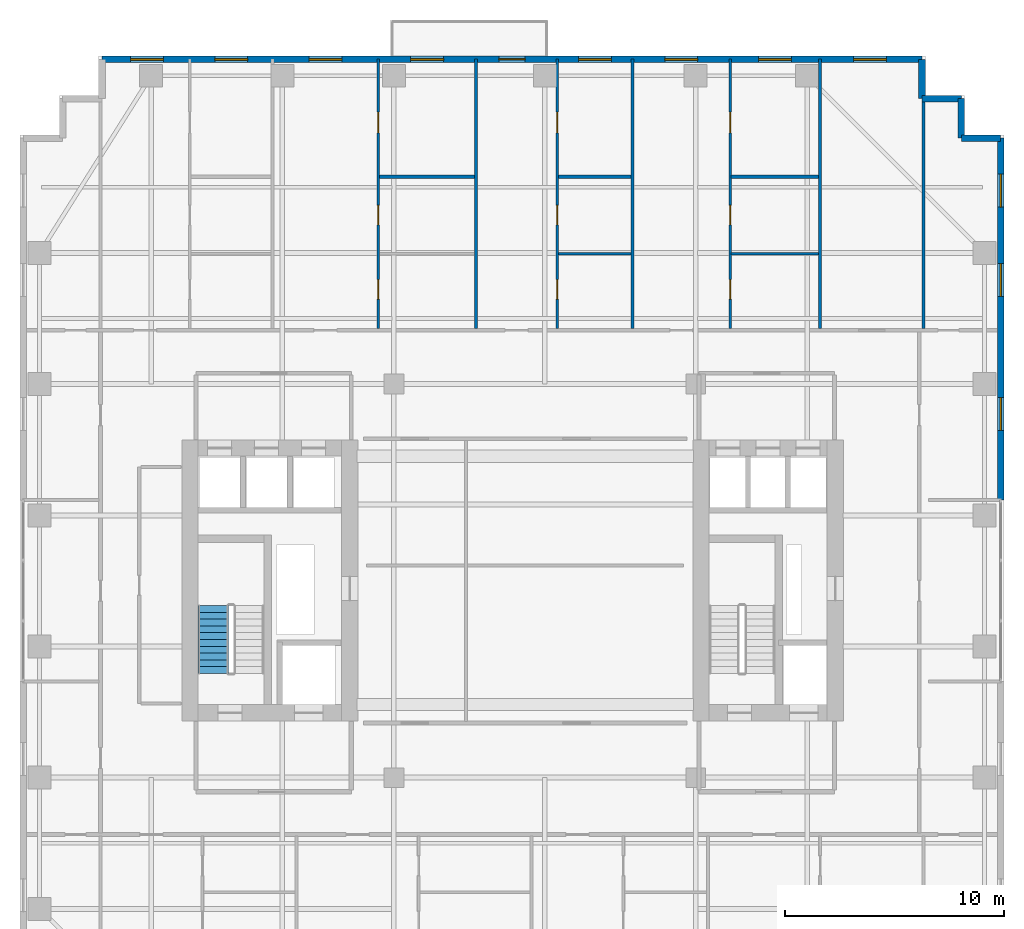
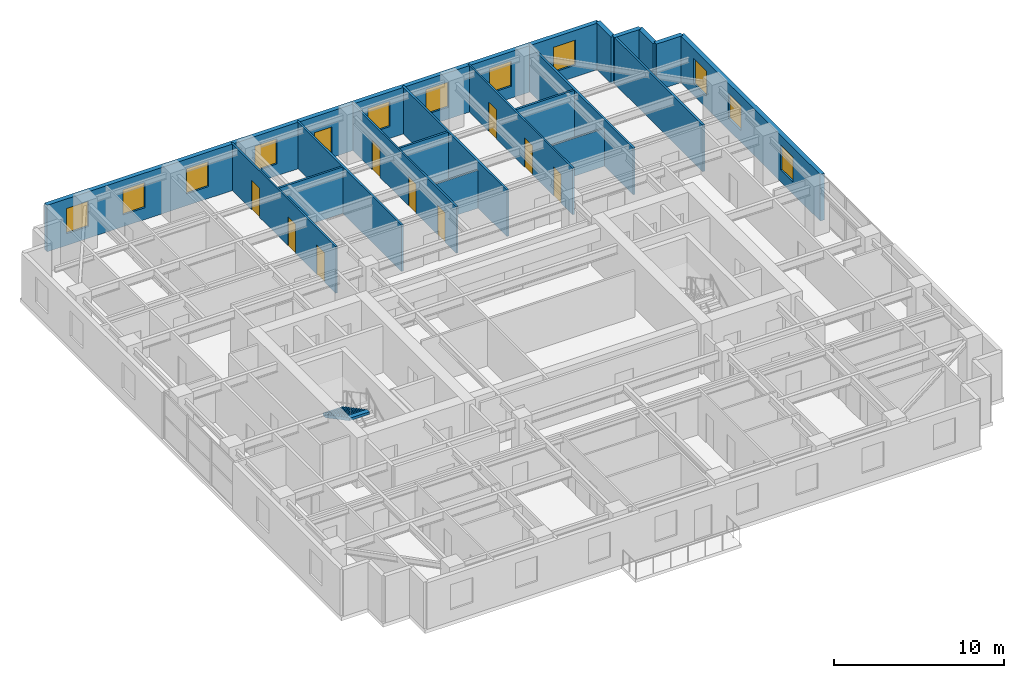
# One storey, part 12 of 15: 18 walls, 11 windows, 10 doors, 1 stair flight, 21 openings, 1 element without a shape of its own.
"""IFC4 building model written with IfcOpenShell, lengths in metres."""

from ifc_helpers import new_model, si_unit, direction, frame, frame_2d, origin, place, context, subcontext, project, spatial, polyline, rectangle, outline, extrude, source, transform, mapped, material, layer, layer_set, type_object, element, fill, aggregate, save


model = new_model("IFC4")

# Units and contexts
model_context = context("Model", 3, precision=1e-05, world=origin(), true_north=direction((0.0, 1.0)))
body_context = subcontext(model_context, "Body", "Model", "MODEL_VIEW")
ifc_project = project(units=[si_unit("LENGTHUNIT", "METRE"), si_unit("AREAUNIT", "SQUARE_METRE"), si_unit("VOLUMEUNIT", "CUBIC_METRE"), si_unit("PLANEANGLEUNIT", "RADIAN"), si_unit("MASSUNIT", "GRAM", prefix="KILO")], contexts=[model_context])

# Site, building, storey
site_placement = place(None, origin())
site = spatial("IfcSite", under=ifc_project, at=site_placement, CompositionType="ELEMENT")
building_placement = place(site_placement, origin())
building = spatial("IfcBuilding", under=site, at=building_placement, Name="Khoralis Quay Care Tower", CompositionType="ELEMENT")
storey_placement = place(building_placement, frame((0.0, 0.0, 123.300048828125)))
storey = spatial("IfcBuildingStorey", under=building, at=storey_placement, Name="L32", CompositionType="ELEMENT", Elevation=123.300048828125)

# Wall, openings, windows
ifc_material_1 = material(Name="Precast concrete C45/55", Category="concrete")
ifc_layer_1 = layer(ifc_material_1, 0.300048828125)
ifc_layer_set_1 = layer_set([ifc_layer_1], Name="Precast concrete C45/55")
wall_type_1 = type_object("IfcWallType", Name="WL-EXT-REF-300", PredefinedType="SOLIDWALL", material=ifc_layer_set_1)
wall_1_placement = place(storey_placement, frame((44.85009765625, 24.699951171875, 0.0), z_axis=(0.0, 0.0, 1.0), x_axis=(0.0, 1.0, 0.0)))
wall_1 = element("IfcWall", 1, at=wall_1_placement, inside=storey, type_object=wall_type_1, Name="L32 External Facade Wall WL-EXT-L32-P1-E5B", PredefinedType="SOLIDWALL", context=body_context, shape_type="SweptSolid", body=[
    extrude(rectangle(XDim=16.550048828125, YDim=0.300048828125, at=frame_2d((8.27490234375, 0.0))), origin(), (0.0, 0.0, 1.0), 3.33984375),
])
opening_1_placement = place(wall_1_placement, frame((3.179931640625, 0.0, 0.85009765625)))
opening_1 = element("IfcOpeningElement", 2, at=opening_1_placement, cuts=wall_1, Name="Opening W3", PredefinedType="OPENING", context=body_context, shape_type="SweptSolid", body=[
    extrude(rectangle(XDim=1.5, YDim=1.800048828125, at=frame_2d((0.75, 0.89990234375))), frame((0.0, 0.16015625, 0.0), z_axis=(0.0, -1.0, 0.0), x_axis=(1.0, 0.0, 0.0)), (0.0, 0.0, 1.0), 0.320068359375),
])
opening_2_placement = place(wall_1_placement, frame((9.3125, 0.0, 0.85009765625)))
opening_2 = element("IfcOpeningElement", 3, at=opening_2_placement, cuts=wall_1, Name="Opening W3", PredefinedType="OPENING", context=body_context, shape_type="SweptSolid", body=[
    extrude(rectangle(XDim=1.5, YDim=1.800048828125, at=frame_2d((0.75, 0.89990234375))), frame((0.0, 0.16015625, 0.0), z_axis=(0.0, -1.0, 0.0), x_axis=(1.0, 0.0, 0.0)), (0.0, 0.0, 1.0), 0.320068359375),
])
opening_3_placement = place(wall_1_placement, frame((13.3974609375, 0.0, 0.85009765625)))
opening_3 = element("IfcOpeningElement", 4, at=opening_3_placement, cuts=wall_1, Name="Opening W3", PredefinedType="OPENING", context=body_context, shape_type="SweptSolid", body=[
    extrude(rectangle(XDim=1.5, YDim=1.800048828125, at=frame_2d((0.75, 0.89990234375))), frame((0.0, 0.16015625, 0.0), z_axis=(0.0, -1.0, 0.0), x_axis=(1.0, 0.0, 0.0)), (0.0, 0.0, 1.0), 0.320068359375),
])
ifc_material_2 = material(Name="Low-E solar-control double glazing", Category="glass")
window_type = type_object("IfcWindowType", Name="WN-CLIN-1500X1800", PartitioningType="SINGLE_PANEL", PredefinedType="WINDOW", material=ifc_material_2)
shared_shape_1 = source(origin(), body_context, "Body", "SweptSolid", [
    extrude(rectangle(XDim=1.5, YDim=1.800048828125, at=frame_2d((0.75, 0.89990234375))), frame((0.0, 0.030029296875, 0.0), z_axis=(0.0, -1.0, 0.0), x_axis=(1.0, 0.0, 0.0)), (0.0, 0.0, 1.0), 0.06005859375),
])
window_1_placement = place(opening_1_placement, origin())
window_1 = element("IfcWindow", 5, at=window_1_placement, inside=storey, type_object=window_type, Name="WN-L32-P1-E5B Facade Window 01", OverallHeight=1.800048828125, OverallWidth=1.5, PartitioningType="SINGLE_PANEL", PredefinedType="WINDOW", context=body_context, shape_type="MappedRepresentation", body=[
    mapped(shared_shape_1, transform((0.0, 0.0, 0.0), scale=1.0)),
])
fill(opening_1, window_1)
window_2_placement = place(opening_2_placement, origin())
window_2 = element("IfcWindow", 6, at=window_2_placement, inside=storey, type_object=window_type, Name="WN-L32-P1-E5B Facade Window 02", OverallHeight=1.800048828125, OverallWidth=1.5, PartitioningType="SINGLE_PANEL", PredefinedType="WINDOW", context=body_context, shape_type="MappedRepresentation", body=[
    mapped(shared_shape_1, transform((0.0, 0.0, 0.0), scale=1.0)),
])
fill(opening_2, window_2)
window_3_placement = place(opening_3_placement, origin())
window_3 = element("IfcWindow", 7, at=window_3_placement, inside=storey, type_object=window_type, Name="WN-L32-P1-E5B Facade Window 03", OverallHeight=1.800048828125, OverallWidth=1.5, PartitioningType="SINGLE_PANEL", PredefinedType="WINDOW", context=body_context, shape_type="MappedRepresentation", body=[
    mapped(shared_shape_1, transform((0.0, 0.0, 0.0), scale=1.0)),
])
fill(opening_3, window_3)

# Walls
for number, where, z_axis, x_axis, name in (
    (8, (44.85009765625, 41.25, 0.0), (0.0, 0.0, 1.0), (-1.0, 0.0, 0.0), "L32 External Facade Wall WL-EXT-L32-P1-C6"),
    (9, (43.050048828125, 41.25, 0.0), (0.0, 0.0, 1.0), (0.0, 1.0, 0.0), "L32 External Facade Wall WL-EXT-L32-P1-C7"),
    (10, (43.050048828125, 43.050048828125, 0.0), (0.0, 0.0, 1.0), (-1.0, 0.0, 0.0), "L32 External Facade Wall WL-EXT-L32-P1-C8"),
    (11, (41.25, 43.050048828125, 0.0), (0.0, 0.0, 1.0), (0.0, 1.0, 0.0), "L32 External Facade Wall WL-EXT-L32-P1-C9"),
):
    element("IfcWall", number, at=place(storey_placement, frame(where, z_axis=z_axis, x_axis=x_axis)), inside=storey, type_object=wall_type_1, Name=name, PredefinedType="SOLIDWALL", context=body_context, shape_type="SweptSolid", body=[
        extrude(rectangle(XDim=1.800048828125, YDim=0.300048828125, at=frame_2d((0.89990234375, 0.0))), origin(), (0.0, 0.0, 1.0), 3.33984375),
    ])

# Wall, openings, windows, door
wall_2_placement = place(storey_placement, frame((41.25, 44.85009765625, 0.0), z_axis=(0.0, 0.0, 1.0), x_axis=(-1.0, 0.0, 0.0)))
wall_2 = element("IfcWall", 12, at=wall_2_placement, inside=storey, type_object=wall_type_1, Name="L32 External Facade Wall WL-EXT-L32-P1-E10", PredefinedType="SOLIDWALL", context=body_context, shape_type="SweptSolid", body=[
    extrude(rectangle(XDim=37.5, YDim=0.300048828125, at=frame_2d((18.75, 0.0))), origin(), (0.0, 0.0, 1.0), 3.33984375),
])
opening_4_placement = place(wall_2_placement, frame((1.6298828125, 0.0, 0.85009765625)))
opening_4 = element("IfcOpeningElement", 13, at=opening_4_placement, cuts=wall_2, Name="Opening W3", PredefinedType="OPENING", context=body_context, shape_type="SweptSolid", body=[
    extrude(rectangle(XDim=1.5, YDim=1.800048828125, at=frame_2d((0.75, 0.89990234375))), frame((0.0, 0.16015625, 0.0), z_axis=(0.0, -1.0, 0.0), x_axis=(1.0, 0.0, 0.0)), (0.0, 0.0, 1.0), 0.320068359375),
])
opening_5_placement = place(wall_2_placement, frame((5.968994140625, 0.0, 0.85009765625)))
opening_5 = element("IfcOpeningElement", 14, at=opening_5_placement, cuts=wall_2, Name="Opening W3", PredefinedType="OPENING", context=body_context, shape_type="SweptSolid", body=[
    extrude(rectangle(XDim=1.5, YDim=1.800048828125, at=frame_2d((0.75, 0.89990234375))), frame((0.0, 0.16015625, 0.0), z_axis=(0.0, -1.0, 0.0), x_axis=(1.0, 0.0, 0.0)), (0.0, 0.0, 1.0), 0.320068359375),
])
opening_6_placement = place(wall_2_placement, frame((10.259033203125, 0.0, 0.85009765625)))
opening_6 = element("IfcOpeningElement", 15, at=opening_6_placement, cuts=wall_2, Name="Opening W3", PredefinedType="OPENING", context=body_context, shape_type="SweptSolid", body=[
    extrude(rectangle(XDim=1.5, YDim=1.800048828125, at=frame_2d((0.75, 0.89990234375))), frame((0.0, 0.16015625, 0.0), z_axis=(0.0, -1.0, 0.0), x_axis=(1.0, 0.0, 0.0)), (0.0, 0.0, 1.0), 0.320068359375),
])
opening_7_placement = place(wall_2_placement, frame((14.20849609375, 0.0, 0.85009765625)))
opening_7 = element("IfcOpeningElement", 16, at=opening_7_placement, cuts=wall_2, Name="Opening W3", PredefinedType="OPENING", context=body_context, shape_type="SweptSolid", body=[
    extrude(rectangle(XDim=1.5, YDim=1.800048828125, at=frame_2d((0.75, 0.89990234375))), frame((0.0, 0.16015625, 0.0), z_axis=(0.0, -1.0, 0.0), x_axis=(1.0, 0.0, 0.0)), (0.0, 0.0, 1.0), 0.320068359375),
])
opening_8_placement = place(wall_2_placement, frame((21.882080078125, 0.0, 0.85009765625)))
opening_8 = element("IfcOpeningElement", 17, at=opening_8_placement, cuts=wall_2, Name="Opening W3", PredefinedType="OPENING", context=body_context, shape_type="SweptSolid", body=[
    extrude(rectangle(XDim=1.5, YDim=1.800048828125, at=frame_2d((0.75, 0.89990234375))), frame((0.0, 0.16015625, 0.0), z_axis=(0.0, -1.0, 0.0), x_axis=(1.0, 0.0, 0.0)), (0.0, 0.0, 1.0), 0.320068359375),
])
opening_9_placement = place(wall_2_placement, frame((26.531982421875, 0.0, 0.85009765625)))
opening_9 = element("IfcOpeningElement", 18, at=opening_9_placement, cuts=wall_2, Name="Opening W3", PredefinedType="OPENING", context=body_context, shape_type="SweptSolid", body=[
    extrude(rectangle(XDim=1.5, YDim=1.800048828125, at=frame_2d((0.75, 0.89990234375))), frame((0.0, 0.16015625, 0.0), z_axis=(0.0, -1.0, 0.0), x_axis=(1.0, 0.0, 0.0)), (0.0, 0.0, 1.0), 0.320068359375),
])
opening_10_placement = place(wall_2_placement, frame((30.839111328125, 0.0, 0.85009765625)))
opening_10 = element("IfcOpeningElement", 19, at=opening_10_placement, cuts=wall_2, Name="Opening W3", PredefinedType="OPENING", context=body_context, shape_type="SweptSolid", body=[
    extrude(rectangle(XDim=1.5, YDim=1.800048828125, at=frame_2d((0.75, 0.89990234375))), frame((0.0, 0.16015625, 0.0), z_axis=(0.0, -1.0, 0.0), x_axis=(1.0, 0.0, 0.0)), (0.0, 0.0, 1.0), 0.320068359375),
])
opening_11_placement = place(wall_2_placement, frame((34.68896484375, 0.0, 0.85009765625)))
opening_11 = element("IfcOpeningElement", 20, at=opening_11_placement, cuts=wall_2, Name="Opening W3", PredefinedType="OPENING", context=body_context, shape_type="SweptSolid", body=[
    extrude(rectangle(XDim=1.5, YDim=1.800048828125, at=frame_2d((0.75, 0.89990234375))), frame((0.0, 0.16015625, 0.0), z_axis=(0.0, -1.0, 0.0), x_axis=(1.0, 0.0, 0.0)), (0.0, 0.0, 1.0), 0.320068359375),
])
opening_12_placement = place(wall_2_placement, frame((18.14990234375, 0.0, 0.0)))
opening_12 = element("IfcOpeningElement", 21, at=opening_12_placement, cuts=wall_2, Name="Opening BD1", PredefinedType="OPENING", context=body_context, shape_type="SweptSolid", body=[
    extrude(rectangle(XDim=1.199951171875, YDim=2.199951171875, at=frame_2d((0.60009765625, 1.10009765625))), frame((0.0, 0.16015625, 0.0), z_axis=(0.0, -1.0, 0.0), x_axis=(1.0, 0.0, 0.0)), (0.0, 0.0, 1.0), 0.320068359375),
])
window_4_placement = place(opening_4_placement, origin())
window_4 = element("IfcWindow", 22, at=window_4_placement, inside=storey, type_object=window_type, Name="WN-L32-P1-E10 Facade Window 01", OverallHeight=1.800048828125, OverallWidth=1.5, PartitioningType="SINGLE_PANEL", PredefinedType="WINDOW", context=body_context, shape_type="MappedRepresentation", body=[
    mapped(shared_shape_1, transform((0.0, 0.0, 0.0), scale=1.0)),
])
fill(opening_4, window_4)
window_5_placement = place(opening_5_placement, origin())
window_5 = element("IfcWindow", 23, at=window_5_placement, inside=storey, type_object=window_type, Name="WN-L32-P1-E10 Facade Window 02", OverallHeight=1.800048828125, OverallWidth=1.5, PartitioningType="SINGLE_PANEL", PredefinedType="WINDOW", context=body_context, shape_type="MappedRepresentation", body=[
    mapped(shared_shape_1, transform((0.0, 0.0, 0.0), scale=1.0)),
])
fill(opening_5, window_5)
window_6_placement = place(opening_6_placement, origin())
window_6 = element("IfcWindow", 24, at=window_6_placement, inside=storey, type_object=window_type, Name="WN-L32-P1-E10 Facade Window 03", OverallHeight=1.800048828125, OverallWidth=1.5, PartitioningType="SINGLE_PANEL", PredefinedType="WINDOW", context=body_context, shape_type="MappedRepresentation", body=[
    mapped(shared_shape_1, transform((0.0, 0.0, 0.0), scale=1.0)),
])
fill(opening_6, window_6)
window_7_placement = place(opening_7_placement, origin())
window_7 = element("IfcWindow", 25, at=window_7_placement, inside=storey, type_object=window_type, Name="WN-L32-P1-E10 Facade Window 04", OverallHeight=1.800048828125, OverallWidth=1.5, PartitioningType="SINGLE_PANEL", PredefinedType="WINDOW", context=body_context, shape_type="MappedRepresentation", body=[
    mapped(shared_shape_1, transform((0.0, 0.0, 0.0), scale=1.0)),
])
fill(opening_7, window_7)
window_8_placement = place(opening_8_placement, origin())
window_8 = element("IfcWindow", 26, at=window_8_placement, inside=storey, type_object=window_type, Name="WN-L32-P1-E10 Facade Window 05", OverallHeight=1.800048828125, OverallWidth=1.5, PartitioningType="SINGLE_PANEL", PredefinedType="WINDOW", context=body_context, shape_type="MappedRepresentation", body=[
    mapped(shared_shape_1, transform((0.0, 0.0, 0.0), scale=1.0)),
])
fill(opening_8, window_8)
window_9_placement = place(opening_9_placement, origin())
window_9 = element("IfcWindow", 27, at=window_9_placement, inside=storey, type_object=window_type, Name="WN-L32-P1-E10 Facade Window 06", OverallHeight=1.800048828125, OverallWidth=1.5, PartitioningType="SINGLE_PANEL", PredefinedType="WINDOW", context=body_context, shape_type="MappedRepresentation", body=[
    mapped(shared_shape_1, transform((0.0, 0.0, 0.0), scale=1.0)),
])
fill(opening_9, window_9)
window_10_placement = place(opening_10_placement, origin())
window_10 = element("IfcWindow", 28, at=window_10_placement, inside=storey, type_object=window_type, Name="WN-L32-P1-E10 Facade Window 07", OverallHeight=1.800048828125, OverallWidth=1.5, PartitioningType="SINGLE_PANEL", PredefinedType="WINDOW", context=body_context, shape_type="MappedRepresentation", body=[
    mapped(shared_shape_1, transform((0.0, 0.0, 0.0), scale=1.0)),
])
fill(opening_10, window_10)
window_11_placement = place(opening_11_placement, origin())
window_11 = element("IfcWindow", 29, at=window_11_placement, inside=storey, type_object=window_type, Name="WN-L32-P1-E10 Facade Window 08", OverallHeight=1.800048828125, OverallWidth=1.5, PartitioningType="SINGLE_PANEL", PredefinedType="WINDOW", context=body_context, shape_type="MappedRepresentation", body=[
    mapped(shared_shape_1, transform((0.0, 0.0, 0.0), scale=1.0)),
])
fill(opening_11, window_11)
ifc_material_3 = material(Name="Anodised aluminium and laminated safety glass", Category="aluminium")
door_type_1 = type_object("IfcDoorType", Name="DR-EXT-BALC-1200X2200", OperationType="NOTDEFINED", PredefinedType="DOOR", material=ifc_material_3)
shared_shape_2 = source(origin(), body_context, "Body", "SweptSolid", [
    extrude(rectangle(XDim=1.199951171875, YDim=2.199951171875, at=frame_2d((0.60009765625, 1.10009765625))), frame((0.0, 0.02490234375, 0.0), z_axis=(0.0, -1.0, 0.0), x_axis=(1.0, 0.0, 0.0)), (0.0, 0.0, 1.0), 0.050048828125),
])
door_1_placement = place(opening_12_placement, frame((1.199951171875, 0.0, 0.0), z_axis=(0.0, 0.0, 1.0), x_axis=(-1.0, 0.0, 0.0)))
door_1 = element("IfcDoor", 30, at=door_1_placement, inside=storey, type_object=door_type_1, Name="L32 Senior Loggia Balcony Door", OperationType="SINGLE_SWING_LEFT", OverallHeight=2.199951171875, OverallWidth=1.199951171875, PredefinedType="DOOR", context=body_context, shape_type="MappedRepresentation", body=[
    mapped(shared_shape_2, transform((0.0, 0.0, 0.0), scale=1.0)),
])
fill(opening_12, door_1)

# Wall, openings, doors
ifc_material_4 = material(Name="Gypsum plasterboard on acoustic metal stud")
ifc_layer_2 = layer(ifc_material_4, 0.114990234375)
ifc_layer_set_2 = layer_set([ifc_layer_2], Name="Gypsum plasterboard on acoustic metal stud")
wall_type_2 = type_object("IfcWallType", Name="WL-PART-115", PredefinedType="PARTITIONING", material=ifc_layer_set_2)
wall_3_placement = place(storey_placement, frame((16.385986328125, 32.53759765625, 0.0), z_axis=(0.0, 0.0, 1.0), x_axis=(0.0, 1.0, 0.0)))
wall_3 = element("IfcWall", 31, at=wall_3_placement, inside=storey, type_object=wall_type_2, Name="L32 Unit 1 Internal Wall", PredefinedType="PARTITIONING", context=body_context, shape_type="SweptSolid", body=[
    extrude(rectangle(XDim=12.3173828125, YDim=0.114990234375, at=frame_2d((6.15869140625, 0.0))), origin(), (0.0, 0.0, 1.0), 3.33984375),
])
opening_13_placement = place(wall_3_placement, frame((8.95361328125, 0.0, 0.0)))
opening_13 = element("IfcOpeningElement", 32, at=opening_13_placement, cuts=wall_3, Name="Opening ID1", PredefinedType="OPENING", context=body_context, shape_type="SweptSolid", body=[
    extrude(rectangle(XDim=0.949951171875, YDim=2.10009765625, at=frame_2d((0.47509765625, 1.050048828125))), frame((0.0, 0.0673828125, 0.0), z_axis=(0.0, -1.0, 0.0), x_axis=(1.0, 0.0, 0.0)), (0.0, 0.0, 1.0), 0.135009765625),
])
opening_14_placement = place(wall_3_placement, frame((4.739013671875, 0.0, 0.0)))
opening_14 = element("IfcOpeningElement", 33, at=opening_14_placement, cuts=wall_3, Name="Opening WD1", PredefinedType="OPENING", context=body_context, shape_type="SweptSolid", body=[
    extrude(rectangle(XDim=0.89990234375, YDim=2.10009765625, at=frame_2d((0.449951171875, 1.050048828125))), frame((0.0, 0.0673828125, 0.0), z_axis=(0.0, -1.0, 0.0), x_axis=(1.0, 0.0, 0.0)), (0.0, 0.0, 1.0), 0.135009765625),
])
opening_15_placement = place(wall_3_placement, frame((1.343017578125, 0.0, 0.0)))
opening_15 = element("IfcOpeningElement", 34, at=opening_15_placement, cuts=wall_3, Name="Opening WD1", PredefinedType="OPENING", context=body_context, shape_type="SweptSolid", body=[
    extrude(rectangle(XDim=0.89990234375, YDim=2.10009765625, at=frame_2d((0.449951171875, 1.050048828125))), frame((0.0, 0.0673828125, 0.0), z_axis=(0.0, -1.0, 0.0), x_axis=(1.0, 0.0, 0.0)), (0.0, 0.0, 1.0), 0.135009765625),
])
ifc_material_5 = material(Name="Acoustic hardwood timber", Category="wood")
door_type_2 = type_object("IfcDoorType", Name="DR-BATH-900X2100", OperationType="NOTDEFINED", PredefinedType="DOOR", material=ifc_material_5)
shared_shape_3 = source(origin(), body_context, "Body", "SweptSolid", [
    extrude(rectangle(XDim=0.89990234375, YDim=2.10009765625, at=frame_2d((0.449951171875, 1.050048828125))), frame((0.0, 0.02490234375, 0.0), z_axis=(0.0, -1.0, 0.0), x_axis=(1.0, 0.0, 0.0)), (0.0, 0.0, 1.0), 0.050048828125),
])
door_2_placement = place(opening_14_placement, frame((0.89990234375, 0.0, 0.0), z_axis=(0.0, 0.0, 1.0), x_axis=(-1.0, 0.0, 0.0)))
door_2 = element("IfcDoor", 35, at=door_2_placement, inside=storey, type_object=door_type_2, Name="L32 Apartment NB1 KIT Door", OperationType="SINGLE_SWING_LEFT", OverallHeight=2.10009765625, OverallWidth=0.89990234375, PredefinedType="DOOR", context=body_context, shape_type="MappedRepresentation", body=[
    mapped(shared_shape_3, transform((0.0, 0.0, 0.0), scale=1.0)),
])
fill(opening_14, door_2)
door_3_placement = place(opening_15_placement, frame((0.89990234375, 0.0, 0.0), z_axis=(0.0, 0.0, 1.0), x_axis=(-1.0, 0.0, 0.0)))
door_3 = element("IfcDoor", 36, at=door_3_placement, inside=storey, type_object=door_type_2, Name="L32 Apartment NB1 BTH Door", OperationType="SINGLE_SWING_RIGHT", OverallHeight=2.10009765625, OverallWidth=0.89990234375, PredefinedType="DOOR", context=body_context, shape_type="MappedRepresentation", body=[
    mapped(shared_shape_3, transform((0.0, 0.0, 0.0), scale=1.0)),
])
fill(opening_15, door_3)
door_type_3 = type_object("IfcDoorType", Name="DR-ROOM-950X2100", OperationType="NOTDEFINED", PredefinedType="DOOR", material=ifc_material_5)
shared_shape_4 = source(origin(), body_context, "Body", "SweptSolid", [
    extrude(rectangle(XDim=0.949951171875, YDim=2.10009765625, at=frame_2d((0.47509765625, 1.050048828125))), frame((0.0, 0.02490234375, 0.0), z_axis=(0.0, -1.0, 0.0), x_axis=(1.0, 0.0, 0.0)), (0.0, 0.0, 1.0), 0.050048828125),
])
door_4_placement = place(opening_13_placement, frame((0.949951171875, 0.0, 0.0), z_axis=(0.0, 0.0, 1.0), x_axis=(-1.0, 0.0, 0.0)))
door_4 = element("IfcDoor", 37, at=door_4_placement, inside=storey, type_object=door_type_3, Name="L32 Apartment NB1 BED Door", OperationType="SINGLE_SWING_RIGHT", OverallHeight=2.10009765625, OverallWidth=0.949951171875, PredefinedType="DOOR", context=body_context, shape_type="MappedRepresentation", body=[
    mapped(shared_shape_4, transform((0.0, 0.0, 0.0), scale=1.0)),
])
fill(opening_13, door_4)

wall_4_placement = place(storey_placement, frame((24.572998046875, 32.53759765625, 0.0), z_axis=(0.0, 0.0, 1.0), x_axis=(0.0, 1.0, 0.0)))
wall_4 = element("IfcWall", 38, at=wall_4_placement, inside=storey, type_object=wall_type_2, Name="L32 Unit 2 Internal Wall", PredefinedType="PARTITIONING", context=body_context, shape_type="SweptSolid", body=[
    extrude(rectangle(XDim=12.3173828125, YDim=0.114990234375, at=frame_2d((6.15869140625, 0.0))), origin(), (0.0, 0.0, 1.0), 3.33984375),
])
opening_16_placement = place(wall_4_placement, frame((8.95361328125, 0.0, 0.0)))
opening_16 = element("IfcOpeningElement", 39, at=opening_16_placement, cuts=wall_4, Name="Opening ID1", PredefinedType="OPENING", context=body_context, shape_type="SweptSolid", body=[
    extrude(rectangle(XDim=0.949951171875, YDim=2.10009765625, at=frame_2d((0.47509765625, 1.050048828125))), frame((0.0, 0.0673828125, 0.0), z_axis=(0.0, -1.0, 0.0), x_axis=(1.0, 0.0, 0.0)), (0.0, 0.0, 1.0), 0.135009765625),
])
opening_17_placement = place(wall_4_placement, frame((4.739013671875, 0.0, 0.0)))
opening_17 = element("IfcOpeningElement", 40, at=opening_17_placement, cuts=wall_4, Name="Opening WD1", PredefinedType="OPENING", context=body_context, shape_type="SweptSolid", body=[
    extrude(rectangle(XDim=0.89990234375, YDim=2.10009765625, at=frame_2d((0.449951171875, 1.050048828125))), frame((0.0, 0.0673828125, 0.0), z_axis=(0.0, -1.0, 0.0), x_axis=(1.0, 0.0, 0.0)), (0.0, 0.0, 1.0), 0.135009765625),
])
opening_18_placement = place(wall_4_placement, frame((1.343017578125, 0.0, 0.0)))
opening_18 = element("IfcOpeningElement", 41, at=opening_18_placement, cuts=wall_4, Name="Opening WD1", PredefinedType="OPENING", context=body_context, shape_type="SweptSolid", body=[
    extrude(rectangle(XDim=0.89990234375, YDim=2.10009765625, at=frame_2d((0.449951171875, 1.050048828125))), frame((0.0, 0.0673828125, 0.0), z_axis=(0.0, -1.0, 0.0), x_axis=(1.0, 0.0, 0.0)), (0.0, 0.0, 1.0), 0.135009765625),
])
door_5_placement = place(opening_17_placement, frame((0.89990234375, 0.0, 0.0), z_axis=(0.0, 0.0, 1.0), x_axis=(-1.0, 0.0, 0.0)))
door_5 = element("IfcDoor", 42, at=door_5_placement, inside=storey, type_object=door_type_2, Name="L32 Apartment NB2 KIT Door", OperationType="SINGLE_SWING_RIGHT", OverallHeight=2.10009765625, OverallWidth=0.89990234375, PredefinedType="DOOR", context=body_context, shape_type="MappedRepresentation", body=[
    mapped(shared_shape_3, transform((0.0, 0.0, 0.0), scale=1.0)),
])
fill(opening_17, door_5)
door_6_placement = place(opening_18_placement, frame((0.89990234375, 0.0, 0.0), z_axis=(0.0, 0.0, 1.0), x_axis=(-1.0, 0.0, 0.0)))
door_6 = element("IfcDoor", 43, at=door_6_placement, inside=storey, type_object=door_type_2, Name="L32 Apartment NB2 BTH Door", OperationType="SINGLE_SWING_LEFT", OverallHeight=2.10009765625, OverallWidth=0.89990234375, PredefinedType="DOOR", context=body_context, shape_type="MappedRepresentation", body=[
    mapped(shared_shape_3, transform((0.0, 0.0, 0.0), scale=1.0)),
])
fill(opening_18, door_6)
door_7_placement = place(opening_16_placement, frame((0.949951171875, 0.0, 0.0), z_axis=(0.0, 0.0, 1.0), x_axis=(-1.0, 0.0, 0.0)))
door_7 = element("IfcDoor", 44, at=door_7_placement, inside=storey, type_object=door_type_3, Name="L32 Apartment NB2 BED Door", OperationType="SINGLE_SWING_LEFT", OverallHeight=2.10009765625, OverallWidth=0.949951171875, PredefinedType="DOOR", context=body_context, shape_type="MappedRepresentation", body=[
    mapped(shared_shape_4, transform((0.0, 0.0, 0.0), scale=1.0)),
])
fill(opening_16, door_7)

# Wall
wall_5_placement = place(storey_placement, frame((24.62548828125, 35.970947265625, 0.0), z_axis=(0.0, 0.0, 1.0), x_axis=(1.0, 0.0, 0.0)))
element("IfcWall", 45, at=wall_5_placement, inside=storey, type_object=wall_type_2, Name="L32 Unit 2 Kitchen Wall", PredefinedType="PARTITIONING", context=body_context, shape_type="SweptSolid", body=[
    extrude(rectangle(XDim=3.319580078125, YDim=0.114990234375, at=frame_2d((1.65966796875, 0.0))), origin(), (0.0, 0.0, 1.0), 2.722900390625),
])

# Wall, openings, doors
wall_6_placement = place(storey_placement, frame((32.471923828125, 32.53759765625, 0.0), z_axis=(0.0, 0.0, 1.0), x_axis=(0.0, 1.0, 0.0)))
wall_6 = element("IfcWall", 46, at=wall_6_placement, inside=storey, type_object=wall_type_2, Name="L32 Unit 3 Internal Wall", PredefinedType="PARTITIONING", context=body_context, shape_type="SweptSolid", body=[
    extrude(rectangle(XDim=12.3173828125, YDim=0.114990234375, at=frame_2d((6.15869140625, 0.0))), origin(), (0.0, 0.0, 1.0), 3.33984375),
])
opening_19_placement = place(wall_6_placement, frame((8.95361328125, 0.0, 0.0)))
opening_19 = element("IfcOpeningElement", 47, at=opening_19_placement, cuts=wall_6, Name="Opening ID1", PredefinedType="OPENING", context=body_context, shape_type="SweptSolid", body=[
    extrude(rectangle(XDim=0.949951171875, YDim=2.10009765625, at=frame_2d((0.47509765625, 1.050048828125))), frame((0.0, 0.0673828125, 0.0), z_axis=(0.0, -1.0, 0.0), x_axis=(1.0, 0.0, 0.0)), (0.0, 0.0, 1.0), 0.135009765625),
])
opening_20_placement = place(wall_6_placement, frame((4.739013671875, 0.0, 0.0)))
opening_20 = element("IfcOpeningElement", 48, at=opening_20_placement, cuts=wall_6, Name="Opening WD1", PredefinedType="OPENING", context=body_context, shape_type="SweptSolid", body=[
    extrude(rectangle(XDim=0.89990234375, YDim=2.10009765625, at=frame_2d((0.449951171875, 1.050048828125))), frame((0.0, 0.0673828125, 0.0), z_axis=(0.0, -1.0, 0.0), x_axis=(1.0, 0.0, 0.0)), (0.0, 0.0, 1.0), 0.135009765625),
])
opening_21_placement = place(wall_6_placement, frame((1.343017578125, 0.0, 0.0)))
opening_21 = element("IfcOpeningElement", 49, at=opening_21_placement, cuts=wall_6, Name="Opening WD1", PredefinedType="OPENING", context=body_context, shape_type="SweptSolid", body=[
    extrude(rectangle(XDim=0.89990234375, YDim=2.10009765625, at=frame_2d((0.449951171875, 1.050048828125))), frame((0.0, 0.0673828125, 0.0), z_axis=(0.0, -1.0, 0.0), x_axis=(1.0, 0.0, 0.0)), (0.0, 0.0, 1.0), 0.135009765625),
])
door_8_placement = place(opening_20_placement, frame((0.89990234375, 0.0, 0.0), z_axis=(0.0, 0.0, 1.0), x_axis=(-1.0, 0.0, 0.0)))
door_8 = element("IfcDoor", 50, at=door_8_placement, inside=storey, type_object=door_type_2, Name="L32 Apartment NB3 KIT Door", OperationType="SINGLE_SWING_LEFT", OverallHeight=2.10009765625, OverallWidth=0.89990234375, PredefinedType="DOOR", context=body_context, shape_type="MappedRepresentation", body=[
    mapped(shared_shape_3, transform((0.0, 0.0, 0.0), scale=1.0)),
])
fill(opening_20, door_8)
door_9_placement = place(opening_21_placement, frame((0.89990234375, 0.0, 0.0), z_axis=(0.0, 0.0, 1.0), x_axis=(-1.0, 0.0, 0.0)))
door_9 = element("IfcDoor", 51, at=door_9_placement, inside=storey, type_object=door_type_2, Name="L32 Apartment NB3 BTH Door", OperationType="SINGLE_SWING_RIGHT", OverallHeight=2.10009765625, OverallWidth=0.89990234375, PredefinedType="DOOR", context=body_context, shape_type="MappedRepresentation", body=[
    mapped(shared_shape_3, transform((0.0, 0.0, 0.0), scale=1.0)),
])
fill(opening_21, door_9)
door_10_placement = place(opening_19_placement, frame((0.949951171875, 0.0, 0.0), z_axis=(0.0, 0.0, 1.0), x_axis=(-1.0, 0.0, 0.0)))
door_10 = element("IfcDoor", 52, at=door_10_placement, inside=storey, type_object=door_type_3, Name="L32 Apartment NB3 BED Door", OperationType="SINGLE_SWING_RIGHT", OverallHeight=2.10009765625, OverallWidth=0.949951171875, PredefinedType="DOOR", context=body_context, shape_type="MappedRepresentation", body=[
    mapped(shared_shape_4, transform((0.0, 0.0, 0.0), scale=1.0)),
])
fill(opening_19, door_10)

# Walls
wall_7_placement = place(storey_placement, frame((32.5244140625, 35.970947265625, 0.0), z_axis=(0.0, 0.0, 1.0), x_axis=(1.0, 0.0, 0.0)))
element("IfcWall", 53, at=wall_7_placement, inside=storey, type_object=wall_type_2, Name="L32 Unit 3 Kitchen Wall", PredefinedType="PARTITIONING", context=body_context, shape_type="SweptSolid", body=[
    extrude(rectangle(XDim=4.00048828125, YDim=0.114990234375, at=frame_2d((2.000244140625, 0.0))), origin(), (0.0, 0.0, 1.0), 2.722900390625),
])
ifc_material_6 = material(Name="Moisture-resistant gypsum and ceramic tile")
ifc_layer_3 = layer(ifc_material_6, 0.280029296875)
ifc_layer_set_3 = layer_set([ifc_layer_3], Name="Moisture-resistant gypsum and ceramic tile")
wall_type_3 = type_object("IfcWallType", Name="WL-PLUMB-280", PredefinedType="PLUMBINGWALL", material=ifc_layer_set_3)
wall_8_placement = place(storey_placement, frame((16.4384765625, 39.48193359375, 0.0), z_axis=(0.0, 0.0, 1.0), x_axis=(1.0, 0.0, 0.0)))
element("IfcWall", 54, at=wall_8_placement, inside=storey, type_object=wall_type_3, Name="L32 Unit 1 Wet Wall", PredefinedType="PLUMBINGWALL", context=body_context, shape_type="SweptSolid", body=[
    extrude(rectangle(XDim=4.346435546875, YDim=0.139892578125, at=frame_2d((2.17333984375, 0.0))), origin(), (0.0, 0.0, 1.0), 3.33984375),
])
wall_9_placement = place(storey_placement, frame((24.62548828125, 39.48193359375, 0.0), z_axis=(0.0, 0.0, 1.0), x_axis=(1.0, 0.0, 0.0)))
element("IfcWall", 55, at=wall_9_placement, inside=storey, type_object=wall_type_3, Name="L32 Unit 2 Wet Wall", PredefinedType="PLUMBINGWALL", context=body_context, shape_type="SweptSolid", body=[
    extrude(rectangle(XDim=3.319580078125, YDim=0.139892578125, at=frame_2d((1.65966796875, 0.0))), origin(), (0.0, 0.0, 1.0), 3.33984375),
])
wall_10_placement = place(storey_placement, frame((32.5244140625, 39.48193359375, 0.0), z_axis=(0.0, 0.0, 1.0), x_axis=(1.0, 0.0, 0.0)))
element("IfcWall", 56, at=wall_10_placement, inside=storey, type_object=wall_type_3, Name="L32 Unit 3 Wet Wall", PredefinedType="PLUMBINGWALL", context=body_context, shape_type="SweptSolid", body=[
    extrude(rectangle(XDim=4.00048828125, YDim=0.139892578125, at=frame_2d((2.000244140625, 0.0))), origin(), (0.0, 0.0, 1.0), 3.33984375),
])
ifc_layer_4 = layer(ifc_material_4, 0.139892578125)
ifc_layer_set_4 = layer_set([ifc_layer_4], Name="Gypsum plasterboard on acoustic metal stud")
wall_type_4 = type_object("IfcWallType", Name="WL-UNIT-140", PredefinedType="PARTITIONING", material=ifc_layer_set_4)
for number, where, z_axis, x_axis, name in (
    (57, (20.85009765625, 32.53759765625, 0.0), (0.0, 0.0, 1.0), (0.0, 1.0, 0.0), "L32 NB Demising Wall 2"),
    (58, (28.010009765625, 32.53759765625, 0.0), (0.0, 0.0, 1.0), (0.0, 1.0, 0.0), "L32 NB Demising Wall 3"),
    (59, (36.590087890625, 32.53759765625, 0.0), (0.0, 0.0, 1.0), (0.0, 1.0, 0.0), "L32 NB Demising Wall 4"),
):
    element("IfcWall", number, at=place(storey_placement, frame(where, z_axis=z_axis, x_axis=x_axis)), inside=storey, type_object=wall_type_4, Name=name, PredefinedType="PARTITIONING", context=body_context, shape_type="SweptSolid", body=[
        extrude(rectangle(XDim=12.3173828125, YDim=0.139892578125, at=frame_2d((6.15869140625, 0.0))), origin(), (0.0, 0.0, 1.0), 3.33984375),
    ])
wall_11_placement = place(storey_placement, frame((41.320068359375, 32.53759765625, 0.0), z_axis=(0.0, 0.0, 1.0), x_axis=(0.0, 1.0, 0.0)))
element("IfcWall", 60, at=wall_11_placement, inside=storey, type_object=wall_type_4, Name="L32 NB Demising Wall 5", PredefinedType="PARTITIONING", context=body_context, shape_type="SweptSolid", body=[
    extrude(rectangle(XDim=10.517333984375, YDim=0.139892578125, at=frame_2d((5.2587890625, 0.0))), origin(), (0.0, 0.0, 1.0), 3.33984375),
])

# Stair, stair flight
stair_type = type_object("IfcStairType", Name="ST-TWR-DOGLEG-1400", PredefinedType="HALF_TURN_STAIR", material=ifc_material_1)
stair_placement = place(storey_placement, origin())
stair = element("IfcStair", 61, at=stair_placement, inside=storey, type_object=stair_type, Name="L32 West Core Exit Stair ST-T1", PredefinedType="HALF_TURN_STAIR")
stair_flight_type = type_object("IfcStairFlightType", Name="SF-TWR-1400", PredefinedType="STRAIGHT", material=ifc_material_1)
shared_shape_5 = source(origin(), body_context, "Body", "SweptSolid", [
    extrude(outline(polyline([(0.0, 0.0), (0.0, 0.16357421875), (0.31005859375, 0.16357421875), (0.31005859375, 0.327392578125), (0.6201171875, 0.327392578125), (0.6201171875, 0.490966796875), (0.929931640625, 0.490966796875), (0.929931640625, 0.654541015625), (1.239990234375, 0.654541015625), (1.239990234375, 0.818115234375), (1.550048828125, 0.818115234375), (1.550048828125, 0.98193359375), (1.860107421875, 0.98193359375), (1.860107421875, 1.1455078125), (2.169921875, 1.1455078125), (2.169921875, 1.30908203125), (2.47998046875, 1.30908203125), (2.47998046875, 1.47265625), (2.7900390625, 1.47265625), (2.7900390625, 1.636474609375), (3.10009765625, 1.636474609375), (3.10009765625, 1.800048828125), (3.10009765625, 1.466796875), (0.321044921875, 0.0), (0.0, 0.0)])), frame((0.0, 0.68994140625, 0.0), z_axis=(0.0, -1.0, 0.0), x_axis=(1.0, 0.0, 0.0)), (0.0, 0.0, 1.0), 1.3798828125),
])
stair_flight_placement = place(storey_placement, frame((8.840087890625, 19.8701171875, 1.800048828125), z_axis=(0.0, 0.0, 1.0), x_axis=(0.0, -1.0, 0.0)))
stair_flight = element("IfcStairFlight", 62, at=stair_flight_placement, type_object=stair_flight_type, Name="ST-T1 flight 2", NumberOfRisers=11, NumberOfTreads=10, PredefinedType="STRAIGHT", RiserHeight=0.163636364, TreadLength=0.31, context=body_context, shape_type="MappedRepresentation", body=[
    mapped(shared_shape_5, transform((0.0, 0.0, 0.0), scale=1.0)),
])
aggregate(stair, [stair_flight])

save(model, "model.ifc")
